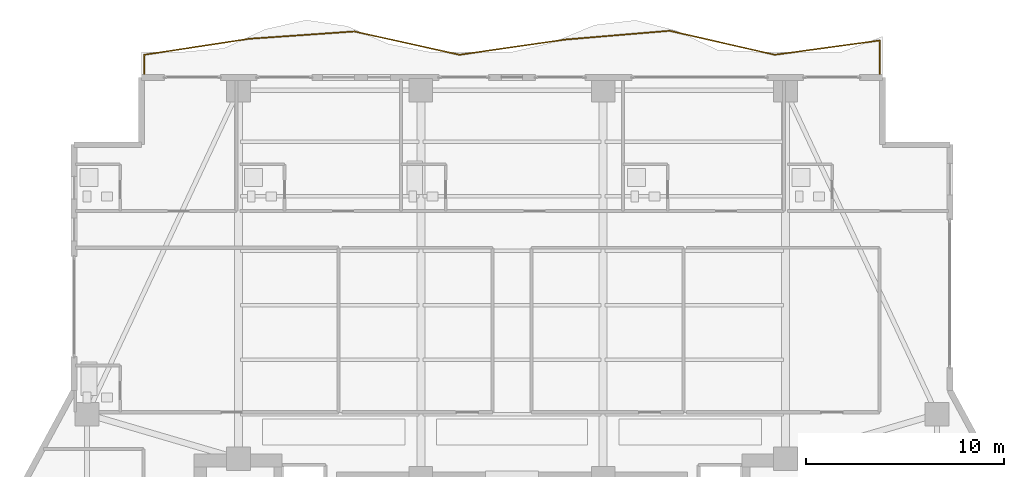
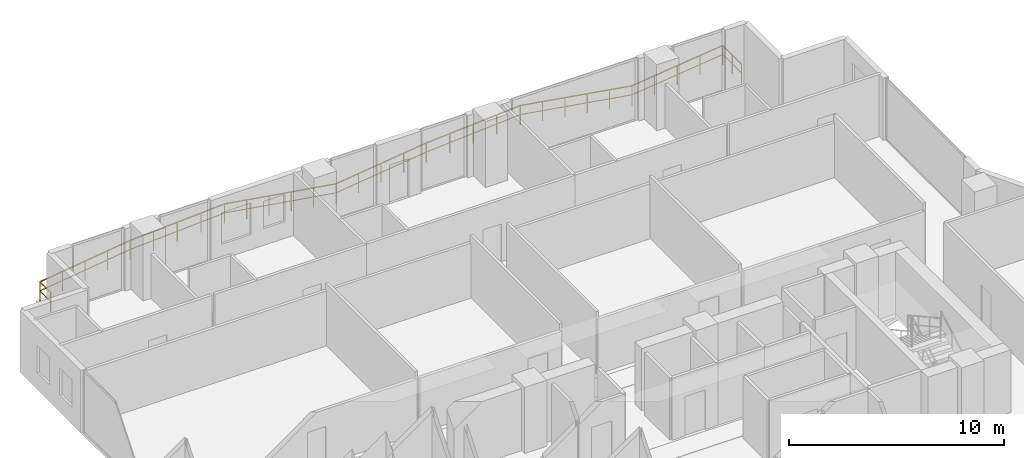
# One storey, part 31 of 32: 1 railing.
"""IFC4 building model written with IfcOpenShell, lengths in metres."""

from ifc_helpers import new_model, si_unit, direction, frame, origin, origin_2d, place, context, subcontext, project, spatial, rectangle, extrude, material, type_object, element, save


model = new_model("IFC4")

# Units and contexts
model_context = context("Model", 3, precision=1e-05, world=origin(), true_north=direction((0.0, 1.0)))
body_context = subcontext(model_context, "Body", "Model", "MODEL_VIEW")
ifc_project = project(units=[si_unit("LENGTHUNIT", "METRE"), si_unit("AREAUNIT", "SQUARE_METRE"), si_unit("VOLUMEUNIT", "CUBIC_METRE"), si_unit("PLANEANGLEUNIT", "RADIAN"), si_unit("MASSUNIT", "GRAM", prefix="KILO")], contexts=[model_context])

# Site, building, storey
site_placement = place(None, origin())
site = spatial("IfcSite", under=ifc_project, at=site_placement, CompositionType="ELEMENT")
building_placement = place(site_placement, origin())
building = spatial("IfcBuilding", under=site, at=building_placement, Name="Zuhayl Quay Hotel", CompositionType="ELEMENT")
storey_placement = place(building_placement, frame((0.0, 0.0, 196.14990234375)))
storey = spatial("IfcBuildingStorey", under=building, at=storey_placement, Name="L49", CompositionType="ELEMENT", Elevation=196.14990234375)

# Railing
ifc_material = material(Name="Anodised Aluminium and Laminated Glass", Category="aluminium")
railing_type = type_object("IfcRailingType", Name="RL_EXT_BAL_1100", PredefinedType="BALUSTRADE", material=ifc_material)
railing_placement = place(storey_placement, frame((-18.56005859375, 33.719970703125, 0.0)))
element("IfcRailing", 1, at=railing_placement, inside=storey, type_object=railing_type, Name="L49 Balcony and Terrace Guard GR_L49_BAL_N", PredefinedType="BALUSTRADE", context=body_context, shape_type="SweptSolid", body=[
    extrude(rectangle(XDim=0.048095703125, YDim=0.048095703125, at=origin_2d()), frame((0.0, 0.0, 1.09619140625), z_axis=(0.0, 1.0, 0.0), x_axis=(-1.0, 0.0, 0.0)), (0.0, 0.0, 1.0), 1.02001953125),
    extrude(rectangle(XDim=0.0361328125, YDim=0.0361328125, at=origin_2d()), frame((0.0, 0.0, 0.58251953125), z_axis=(0.0, 1.0, 0.0), x_axis=(-1.0, 0.0, 0.0)), (0.0, 0.0, 1.0), 1.02001953125),
    extrude(rectangle(XDim=0.048095703125, YDim=0.048095703125, at=origin_2d()), frame((0.0, 1.02001953125, 1.09619140625), z_axis=(0.988614569326, 0.150470041259, 0.0), x_axis=(-0.150470041259, 0.988614569326, 0.0)), (0.0, 0.0, 1.0), 5.364013671875),
    extrude(rectangle(XDim=0.0361328125, YDim=0.0361328125, at=origin_2d()), frame((0.0, 1.02001953125, 0.58251953125), z_axis=(0.988614569326, 0.150470041259, 0.0), x_axis=(-0.150470041259, 0.988614569326, 0.0)), (0.0, 0.0, 1.0), 5.364013671875),
    extrude(rectangle(XDim=0.048095703125, YDim=0.048095703125, at=origin_2d()), frame((5.302978515625, 1.8271484375, 1.09619140625), z_axis=(0.997573023957, 0.069628025061, 0.0), x_axis=(-0.069628025061, 0.997573023957, 0.0)), (0.0, 0.0, 1.0), 5.315673828125),
    extrude(rectangle(XDim=0.0361328125, YDim=0.0361328125, at=origin_2d()), frame((5.302978515625, 1.8271484375, 0.58251953125), z_axis=(0.997573023957, 0.069628025061, 0.0), x_axis=(-0.069628025061, 0.997573023957, 0.0)), (0.0, 0.0, 1.0), 5.315673828125),
    extrude(rectangle(XDim=0.048095703125, YDim=0.048095703125, at=origin_2d()), frame((10.605712890625, 2.197265625, 1.09619140625), z_axis=(0.976233568222, -0.216721065603, 0.0), x_axis=(0.216721065603, 0.976233568222, 0.0)), (0.0, 0.0, 1.0), 5.43212890625),
    extrude(rectangle(XDim=0.0361328125, YDim=0.0361328125, at=origin_2d()), frame((10.605712890625, 2.197265625, 0.58251953125), z_axis=(0.976233568222, -0.216721065603, 0.0), x_axis=(0.216721065603, 0.976233568222, 0.0)), (0.0, 0.0, 1.0), 5.43212890625),
    extrude(rectangle(XDim=0.048095703125, YDim=0.048095703125, at=origin_2d()), frame((15.90869140625, 1.02001953125, 1.09619140625), z_axis=(0.989762715891, 0.142722689971, 0.0), x_axis=(-0.142722689971, 0.989762715891, 0.0)), (0.0, 0.0, 1.0), 5.357666015625),
    extrude(rectangle(XDim=0.0361328125, YDim=0.0361328125, at=origin_2d()), frame((15.90869140625, 1.02001953125, 0.58251953125), z_axis=(0.989762715891, 0.142722689971, 0.0), x_axis=(-0.142722689971, 0.989762715891, 0.0)), (0.0, 0.0, 1.0), 5.357666015625),
    extrude(rectangle(XDim=0.048095703125, YDim=0.048095703125, at=origin_2d()), frame((21.21142578125, 1.78466796875, 1.09619140625), z_axis=(0.996477400571, 0.083861732344, 0.0), x_axis=(-0.083861732344, 0.996477400571, 0.0)), (0.0, 0.0, 1.0), 5.32177734375),
    extrude(rectangle(XDim=0.0361328125, YDim=0.0361328125, at=origin_2d()), frame((21.21142578125, 1.78466796875, 0.58251953125), z_axis=(0.996477400571, 0.083861732344, 0.0), x_axis=(-0.083861732344, 0.996477400571, 0.0)), (0.0, 0.0, 1.0), 5.32177734375),
    extrude(rectangle(XDim=0.048095703125, YDim=0.048095703125, at=origin_2d()), frame((26.514404296875, 2.23095703125, 1.09619140625), z_axis=(0.974903058714, -0.222629796097, 0.0), x_axis=(0.222629796097, 0.974903058714, 0.0)), (0.0, 0.0, 1.0), 5.439208984375),
    extrude(rectangle(XDim=0.0361328125, YDim=0.0361328125, at=origin_2d()), frame((26.514404296875, 2.23095703125, 0.58251953125), z_axis=(0.974903058714, -0.222629796097, 0.0), x_axis=(0.222629796097, 0.974903058714, 0.0)), (0.0, 0.0, 1.0), 5.439208984375),
    extrude(rectangle(XDim=0.048095703125, YDim=0.048095703125, at=origin_2d()), frame((31.817138671875, 1.02001953125, 1.09619140625), z_axis=(0.99086040073, 0.134891312783, 0.0), x_axis=(-0.134891312783, 0.99086040073, 0.0)), (0.0, 0.0, 1.0), 5.351806640625),
    extrude(rectangle(XDim=0.0361328125, YDim=0.0361328125, at=origin_2d()), frame((31.817138671875, 1.02001953125, 0.58251953125), z_axis=(0.99086040073, 0.134891312783, 0.0), x_axis=(-0.134891312783, 0.99086040073, 0.0)), (0.0, 0.0, 1.0), 5.351806640625),
    extrude(rectangle(XDim=0.048095703125, YDim=0.048095703125, at=origin_2d()), frame((37.1201171875, 1.741943359375, 1.09619140625), z_axis=(0.0, -1.0, 0.0), x_axis=(1.0, 0.0, 0.0)), (0.0, 0.0, 1.0), 1.741943359375),
    extrude(rectangle(XDim=0.0361328125, YDim=0.0361328125, at=origin_2d()), frame((37.1201171875, 1.741943359375, 0.58251953125), z_axis=(0.0, -1.0, 0.0), x_axis=(1.0, 0.0, 0.0)), (0.0, 0.0, 1.0), 1.741943359375),
    extrude(rectangle(XDim=0.0419921875, YDim=0.0419921875, at=origin_2d()), origin(), (0.0, 0.0, 1.0), 1.072021484375),
    extrude(rectangle(XDim=0.0419921875, YDim=0.0419921875, at=origin_2d()), frame((0.0, 1.02001953125, 0.0)), (0.0, 0.0, 1.0), 1.072021484375),
    extrude(rectangle(XDim=0.0419921875, YDim=0.0419921875, at=origin_2d()), frame((1.32568359375, 1.2216796875, 0.0)), (0.0, 0.0, 1.0), 1.072021484375),
    extrude(rectangle(XDim=0.0419921875, YDim=0.0419921875, at=origin_2d()), frame((2.6513671875, 1.423583984375, 0.0)), (0.0, 0.0, 1.0), 1.072021484375),
    extrude(rectangle(XDim=0.0419921875, YDim=0.0419921875, at=origin_2d()), frame((3.977294921875, 1.62548828125, 0.0)), (0.0, 0.0, 1.0), 1.072021484375),
    extrude(rectangle(XDim=0.0419921875, YDim=0.0419921875, at=origin_2d()), frame((5.302978515625, 1.8271484375, 0.0)), (0.0, 0.0, 1.0), 1.072021484375),
    extrude(rectangle(XDim=0.0419921875, YDim=0.0419921875, at=origin_2d()), frame((6.628662109375, 1.919677734375, 0.0)), (0.0, 0.0, 1.0), 1.072021484375),
    extrude(rectangle(XDim=0.0419921875, YDim=0.0419921875, at=origin_2d()), frame((7.954345703125, 2.01220703125, 0.0)), (0.0, 0.0, 1.0), 1.072021484375),
    extrude(rectangle(XDim=0.0419921875, YDim=0.0419921875, at=origin_2d()), frame((9.280029296875, 2.104736328125, 0.0)), (0.0, 0.0, 1.0), 1.072021484375),
    extrude(rectangle(XDim=0.0419921875, YDim=0.0419921875, at=origin_2d()), frame((10.605712890625, 2.197265625, 0.0)), (0.0, 0.0, 1.0), 1.072021484375),
    extrude(rectangle(XDim=0.0419921875, YDim=0.0419921875, at=origin_2d()), frame((11.666259765625, 1.9619140625, 0.0)), (0.0, 0.0, 1.0), 1.072021484375),
    extrude(rectangle(XDim=0.0419921875, YDim=0.0419921875, at=origin_2d()), frame((12.726806640625, 1.726318359375, 0.0)), (0.0, 0.0, 1.0), 1.072021484375),
    extrude(rectangle(XDim=0.0419921875, YDim=0.0419921875, at=origin_2d()), frame((13.78759765625, 1.490966796875, 0.0)), (0.0, 0.0, 1.0), 1.072021484375),
    extrude(rectangle(XDim=0.0419921875, YDim=0.0419921875, at=origin_2d()), frame((14.84814453125, 1.25537109375, 0.0)), (0.0, 0.0, 1.0), 1.072021484375),
    extrude(rectangle(XDim=0.0419921875, YDim=0.0419921875, at=origin_2d()), frame((15.90869140625, 1.02001953125, 0.0)), (0.0, 0.0, 1.0), 1.072021484375),
    extrude(rectangle(XDim=0.0419921875, YDim=0.0419921875, at=origin_2d()), frame((17.234375, 1.211181640625, 0.0)), (0.0, 0.0, 1.0), 1.072021484375),
    extrude(rectangle(XDim=0.0419921875, YDim=0.0419921875, at=origin_2d()), frame((18.56005859375, 1.40234375, 0.0)), (0.0, 0.0, 1.0), 1.072021484375),
    extrude(rectangle(XDim=0.0419921875, YDim=0.0419921875, at=origin_2d()), frame((19.8857421875, 1.593505859375, 0.0)), (0.0, 0.0, 1.0), 1.072021484375),
    extrude(rectangle(XDim=0.0419921875, YDim=0.0419921875, at=origin_2d()), frame((21.21142578125, 1.78466796875, 0.0)), (0.0, 0.0, 1.0), 1.072021484375),
    extrude(rectangle(XDim=0.0419921875, YDim=0.0419921875, at=origin_2d()), frame((22.537109375, 1.896240234375, 0.0)), (0.0, 0.0, 1.0), 1.072021484375),
    extrude(rectangle(XDim=0.0419921875, YDim=0.0419921875, at=origin_2d()), frame((23.86279296875, 2.0078125, 0.0)), (0.0, 0.0, 1.0), 1.072021484375),
    extrude(rectangle(XDim=0.0419921875, YDim=0.0419921875, at=origin_2d()), frame((25.188720703125, 2.119384765625, 0.0)), (0.0, 0.0, 1.0), 1.072021484375),
    extrude(rectangle(XDim=0.0419921875, YDim=0.0419921875, at=origin_2d()), frame((26.514404296875, 2.23095703125, 0.0)), (0.0, 0.0, 1.0), 1.072021484375),
    extrude(rectangle(XDim=0.0419921875, YDim=0.0419921875, at=origin_2d()), frame((27.574951171875, 1.98876953125, 0.0)), (0.0, 0.0, 1.0), 1.072021484375),
    extrude(rectangle(XDim=0.0419921875, YDim=0.0419921875, at=origin_2d()), frame((28.635498046875, 1.74658203125, 0.0)), (0.0, 0.0, 1.0), 1.072021484375),
    extrude(rectangle(XDim=0.0419921875, YDim=0.0419921875, at=origin_2d()), frame((29.696044921875, 1.50439453125, 0.0)), (0.0, 0.0, 1.0), 1.072021484375),
    extrude(rectangle(XDim=0.0419921875, YDim=0.0419921875, at=origin_2d()), frame((30.756591796875, 1.26220703125, 0.0)), (0.0, 0.0, 1.0), 1.072021484375),
    extrude(rectangle(XDim=0.0419921875, YDim=0.0419921875, at=origin_2d()), frame((31.817138671875, 1.02001953125, 0.0)), (0.0, 0.0, 1.0), 1.072021484375),
    extrude(rectangle(XDim=0.0419921875, YDim=0.0419921875, at=origin_2d()), frame((33.142822265625, 1.200439453125, 0.0)), (0.0, 0.0, 1.0), 1.072021484375),
    extrude(rectangle(XDim=0.0419921875, YDim=0.0419921875, at=origin_2d()), frame((34.46875, 1.380859375, 0.0)), (0.0, 0.0, 1.0), 1.072021484375),
    extrude(rectangle(XDim=0.0419921875, YDim=0.0419921875, at=origin_2d()), frame((35.79443359375, 1.5615234375, 0.0)), (0.0, 0.0, 1.0), 1.072021484375),
    extrude(rectangle(XDim=0.0419921875, YDim=0.0419921875, at=origin_2d()), frame((37.1201171875, 1.741943359375, 0.0)), (0.0, 0.0, 1.0), 1.072021484375),
    extrude(rectangle(XDim=0.0419921875, YDim=0.0419921875, at=origin_2d()), frame((37.1201171875, 0.87109375, 0.0)), (0.0, 0.0, 1.0), 1.072021484375),
    extrude(rectangle(XDim=0.0419921875, YDim=0.0419921875, at=origin_2d()), frame((37.1201171875, 0.0, 0.0)), (0.0, 0.0, 1.0), 1.072021484375),
])

save(model, "model.ifc")
